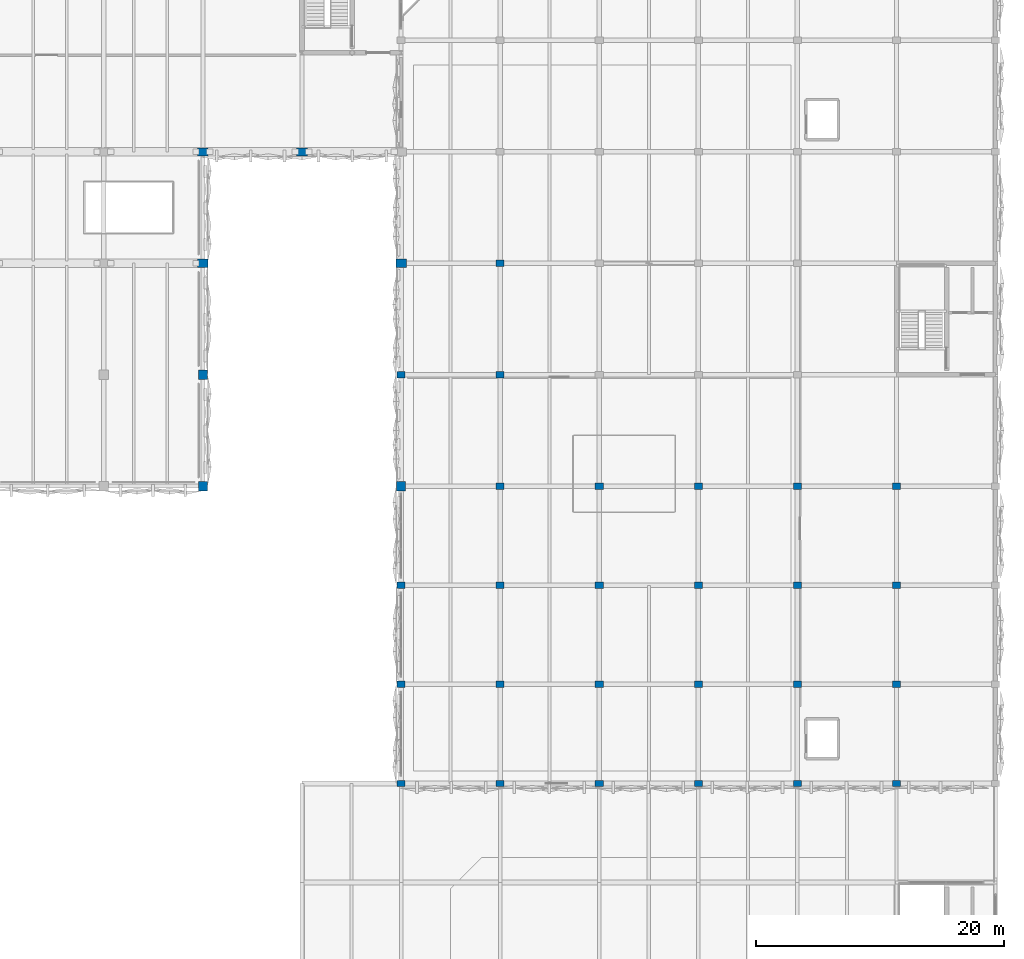
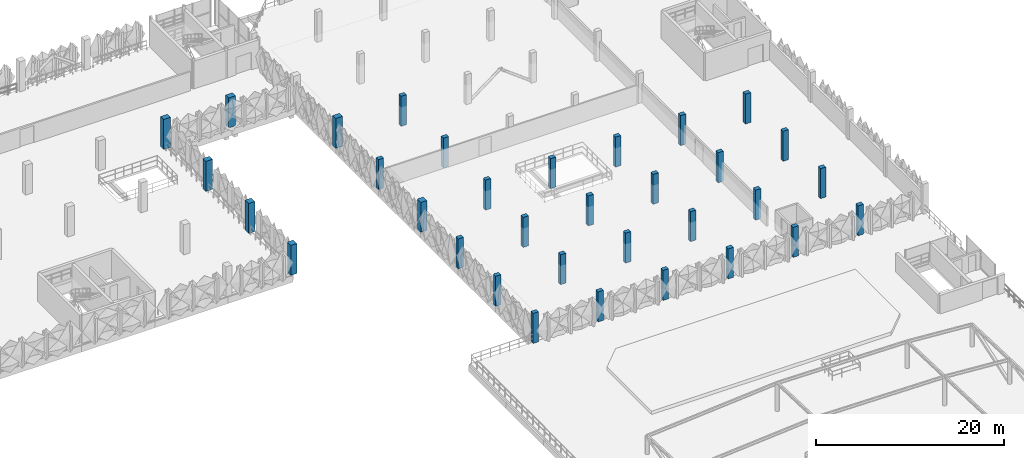
# One storey, part 5 of 76: 33 columns.
"""IFC4 building model written with IfcOpenShell, lengths in metres."""

from ifc_helpers import new_model, si_unit, derived_unit, direction, frame, origin, origin_2d, place, context, subcontext, project, spatial, rectangle, extrude, material, material_profile, profile_set, type_object, element, save


model = new_model("IFC4")

# Units and contexts
model_context = context("Model", 3, precision=1e-05, world=origin(), true_north=direction((0.0, 1.0)))
body_context = subcontext(model_context, "Body", "Model", "MODEL_VIEW")
ifc_project = project(units=[si_unit("LENGTHUNIT", "METRE"), si_unit("AREAUNIT", "SQUARE_METRE"), si_unit("VOLUMEUNIT", "CUBIC_METRE"), si_unit("PLANEANGLEUNIT", "RADIAN"), si_unit("MASSUNIT", "GRAM", prefix="KILO"), si_unit("THERMODYNAMICTEMPERATUREUNIT", "KELVIN"), derived_unit("THERMALTRANSMITTANCEUNIT", [(si_unit("POWERUNIT", "WATT"), 1), (si_unit("AREAUNIT", "SQUARE_METRE"), -1), (si_unit("THERMODYNAMICTEMPERATUREUNIT", "KELVIN"), -1)])], contexts=[model_context])

# Site, building, storey
site_placement = place(None, origin())
site = spatial("IfcSite", under=ifc_project, at=site_placement, CompositionType="ELEMENT")
building_placement = place(site_placement, origin())
building = spatial("IfcBuilding", under=site, at=building_placement, Name="Haiyu Intermodal Mobility Hub", CompositionType="ELEMENT")
storey_placement = place(building_placement, frame((0.0, 0.0, 17.300048828125)))
storey = spatial("IfcBuildingStorey", under=building, at=storey_placement, Name="L04", CompositionType="ELEMENT", Elevation=17.300048828125)

# Columns
ifc_material_1 = material(Name="Precast concrete C40", Category="concrete")
ifc_material_profile_1 = material_profile(ifc_material_1, rectangle(XDim=0.75, YDim=0.75, at=origin_2d()), Name="RC750x750")
ifc_profile_set_1 = profile_set([ifc_material_profile_1], Name="Precast concrete C40")
column_type_1 = type_object("IfcColumnType", Name="COL-CC03", PredefinedType="COLUMN", material=ifc_profile_set_1)
column_1_placement = place(storey_placement, frame((146.0, 113.0, 0.0), z_axis=(0.0, 0.0, 1.0), x_axis=(1.0, 0.0, 0.0)))
element("IfcColumn", 1, at=column_1_placement, inside=storey, type_object=column_type_1, Name="Column V3S-16N L04", PredefinedType="COLUMN", context=body_context, shape_type="SweptSolid", body=[
    extrude(rectangle(XDim=0.75, YDim=0.75, at=origin_2d()), origin(), (0.0, 0.0, 1.0), 3.89990234375),
])
ifc_material_profile_2 = material_profile(ifc_material_1, rectangle(XDim=0.75, YDim=0.75, at=origin_2d()), Name="RC750x750")
ifc_profile_set_2 = profile_set([ifc_material_profile_2], Name="Precast concrete C40")
column_type_2 = type_object("IfcColumnType", Name="COL-CC03-EXT", PredefinedType="COLUMN", material=ifc_profile_set_2)
for number, where, z_axis, x_axis, name in (
    (2, (146.0, 104.0, 0.0), (0.0, 0.0, 1.0), (1.0, 0.0, 0.0), "Column V4-16M L04"),
    (3, (162.0, 104.0, 0.0), (0.0, 0.0, 1.0), (1.0, 0.0, 0.0), "Column V4-18M L04"),
):
    element("IfcColumn", number, at=place(storey_placement, frame(where, z_axis=z_axis, x_axis=x_axis)), inside=storey, type_object=column_type_2, Name=name, PredefinedType="COLUMN", context=body_context, shape_type="SweptSolid", body=[
        extrude(rectangle(XDim=0.75, YDim=0.75, at=origin_2d()), origin(), (0.0, 0.0, 1.0), 3.89990234375),
    ])
ifc_material_profile_3 = material_profile(ifc_material_1, rectangle(XDim=0.85009765625, YDim=0.64990234375, at=origin_2d()), Name="RC850x650")
ifc_profile_set_3 = profile_set([ifc_material_profile_3], Name="Precast concrete C40")
column_type_3 = type_object("IfcColumnType", Name="COL-CC05", PredefinedType="COLUMN", material=ifc_profile_set_3)
for number, where, z_axis, x_axis, name in (
    (4, (146.0, 122.0, 0.0), (0.0, 0.0, 1.0), (1.0, 0.0, 0.0), "Column V4-16P L04"),
    (5, (146.0, 131.0, 0.0), (0.0, 0.0, 1.0), (1.0, 0.0, 0.0), "Column V4-16Q L04"),
    (6, (154.0, 131.0, 0.0), (0.0, 0.0, 1.0), (1.0, 0.0, 0.0), "Column V4-17Q L04"),
):
    element("IfcColumn", number, at=place(storey_placement, frame(where, z_axis=z_axis, x_axis=x_axis)), inside=storey, type_object=column_type_3, Name=name, PredefinedType="COLUMN", context=body_context, shape_type="SweptSolid", body=[
        extrude(rectangle(XDim=0.85009765625, YDim=0.64990234375, at=origin_2d()), origin(), (0.0, 0.0, 1.0), 3.89990234375),
    ])
ifc_material_profile_4 = material_profile(ifc_material_1, rectangle(XDim=0.85009765625, YDim=0.64990234375, at=origin_2d()), Name="RC850x650")
ifc_profile_set_4 = profile_set([ifc_material_profile_4], Name="Precast concrete C40")
column_type_4 = type_object("IfcColumnType", Name="COL-CC05-EXT", PredefinedType="COLUMN", material=ifc_profile_set_4)
column_2_placement = place(storey_placement, frame((162.0, 122.0, 0.0), z_axis=(0.0, 0.0, 1.0), x_axis=(1.0, 0.0, 0.0)))
element("IfcColumn", 7, at=column_2_placement, inside=storey, type_object=column_type_4, Name="Column V4-18P L04", PredefinedType="COLUMN", context=body_context, shape_type="SweptSolid", body=[
    extrude(rectangle(XDim=0.85009765625, YDim=0.64990234375, at=origin_2d()), origin(), (0.0, 0.0, 1.0), 3.89990234375),
])
ifc_material_2 = material(Name="Concrete C40", Category="concrete")
ifc_material_profile_5 = material_profile(ifc_material_2, rectangle(XDim=0.64990234375, YDim=0.5, at=origin_2d()), Name="C650x500")
ifc_profile_set_5 = profile_set([ifc_material_profile_5], Name="Concrete C40")
column_type_5 = type_object("IfcColumnType", Name="COL-CC17", PredefinedType="COLUMN", material=ifc_profile_set_5)
for number, where, z_axis, x_axis, name in (
    (8, (170.0, 88.0, 0.0), (0.0, 0.0, 1.0), (1.0, 0.0, 0.0), "Column V6-19K L04"),
    (9, (170.0, 96.0, 0.0), (0.0, 0.0, 1.0), (1.0, 0.0, 0.0), "Column V6-19L L04"),
    (10, (170.0, 104.0, 0.0), (0.0, 0.0, 1.0), (1.0, 0.0, 0.0), "Column V6-19M L04"),
    (11, (170.0, 113.0, 0.0), (0.0, 0.0, 1.0), (1.0, 0.0, 0.0), "Column V6-19N L04"),
    (12, (170.0, 122.0, 0.0), (0.0, 0.0, 1.0), (1.0, 0.0, 0.0), "Column V6-19P L04"),
    (13, (178.0, 88.0, 0.0), (0.0, 0.0, 1.0), (1.0, 0.0, 0.0), "Column V6-20K L04"),
    (14, (178.0, 96.0, 0.0), (0.0, 0.0, 1.0), (1.0, 0.0, 0.0), "Column V6-20L L04"),
    (15, (178.0, 104.0, 0.0), (0.0, 0.0, 1.0), (1.0, 0.0, 0.0), "Column V6-20M L04"),
    (16, (186.0, 88.0, 0.0), (0.0, 0.0, 1.0), (1.0, 0.0, 0.0), "Column V6-21K L04"),
    (17, (186.0, 96.0, 0.0), (0.0, 0.0, 1.0), (1.0, 0.0, 0.0), "Column V6-21L L04"),
    (18, (186.0, 104.0, 0.0), (0.0, 0.0, 1.0), (1.0, 0.0, 0.0), "Column V6-21M L04"),
    (19, (194.0, 88.0, 0.0), (0.0, 0.0, 1.0), (1.0, 0.0, 0.0), "Column V6-22K L04"),
    (20, (194.0, 96.0, 0.0), (0.0, 0.0, 1.0), (1.0, 0.0, 0.0), "Column V6-22L L04"),
    (21, (194.0, 104.0, 0.0), (0.0, 0.0, 1.0), (1.0, 0.0, 0.0), "Column V6-22M L04"),
    (22, (202.0, 88.0, 0.0), (0.0, 0.0, 1.0), (1.0, 0.0, 0.0), "Column V6-23K L04"),
    (23, (202.0, 96.0, 0.0), (0.0, 0.0, 1.0), (1.0, 0.0, 0.0), "Column V6-23L L04"),
    (24, (202.0, 104.0, 0.0), (0.0, 0.0, 1.0), (1.0, 0.0, 0.0), "Column V6-23M L04"),
):
    element("IfcColumn", number, at=place(storey_placement, frame(where, z_axis=z_axis, x_axis=x_axis)), inside=storey, type_object=column_type_5, Name=name, PredefinedType="COLUMN", context=body_context, shape_type="SweptSolid", body=[
        extrude(rectangle(XDim=0.64990234375, YDim=0.5, at=origin_2d()), origin(), (0.0, 0.0, 1.0), 3.89990234375),
    ])
ifc_material_profile_6 = material_profile(ifc_material_2, rectangle(XDim=0.64990234375, YDim=0.5, at=origin_2d()), Name="C650x500")
ifc_profile_set_6 = profile_set([ifc_material_profile_6], Name="Concrete C40")
column_type_6 = type_object("IfcColumnType", Name="COL-CC17-EXT", PredefinedType="COLUMN", material=ifc_profile_set_6)
for number, where, z_axis, x_axis, name in (
    (25, (162.0, 80.0, 0.0), (0.0, 0.0, 1.0), (1.0, 0.0, 0.0), "Column V5-18J L04"),
    (26, (170.0, 80.0, 0.0), (0.0, 0.0, 1.0), (1.0, 0.0, 0.0), "Column V5-19J L04"),
    (27, (178.0, 80.0, 0.0), (0.0, 0.0, 1.0), (1.0, 0.0, 0.0), "Column V5-20J L04"),
    (28, (186.0, 80.0, 0.0), (0.0, 0.0, 1.0), (1.0, 0.0, 0.0), "Column V5-21J L04"),
    (29, (194.0, 80.0, 0.0), (0.0, 0.0, 1.0), (1.0, 0.0, 0.0), "Column V5-22J L04"),
    (30, (202.0, 80.0, 0.0), (0.0, 0.0, 1.0), (1.0, 0.0, 0.0), "Column V5-23J L04"),
    (31, (162.0, 88.0, 0.0), (0.0, 0.0, 1.0), (1.0, 0.0, 0.0), "Column V6-18K L04"),
    (32, (162.0, 96.0, 0.0), (0.0, 0.0, 1.0), (1.0, 0.0, 0.0), "Column V6-18L L04"),
    (33, (162.0, 113.0, 0.0), (0.0, 0.0, 1.0), (1.0, 0.0, 0.0), "Column V6-18N L04"),
):
    element("IfcColumn", number, at=place(storey_placement, frame(where, z_axis=z_axis, x_axis=x_axis)), inside=storey, type_object=column_type_6, Name=name, PredefinedType="COLUMN", context=body_context, shape_type="SweptSolid", body=[
        extrude(rectangle(XDim=0.64990234375, YDim=0.5, at=origin_2d()), origin(), (0.0, 0.0, 1.0), 3.89990234375),
    ])

save(model, "model.ifc")
